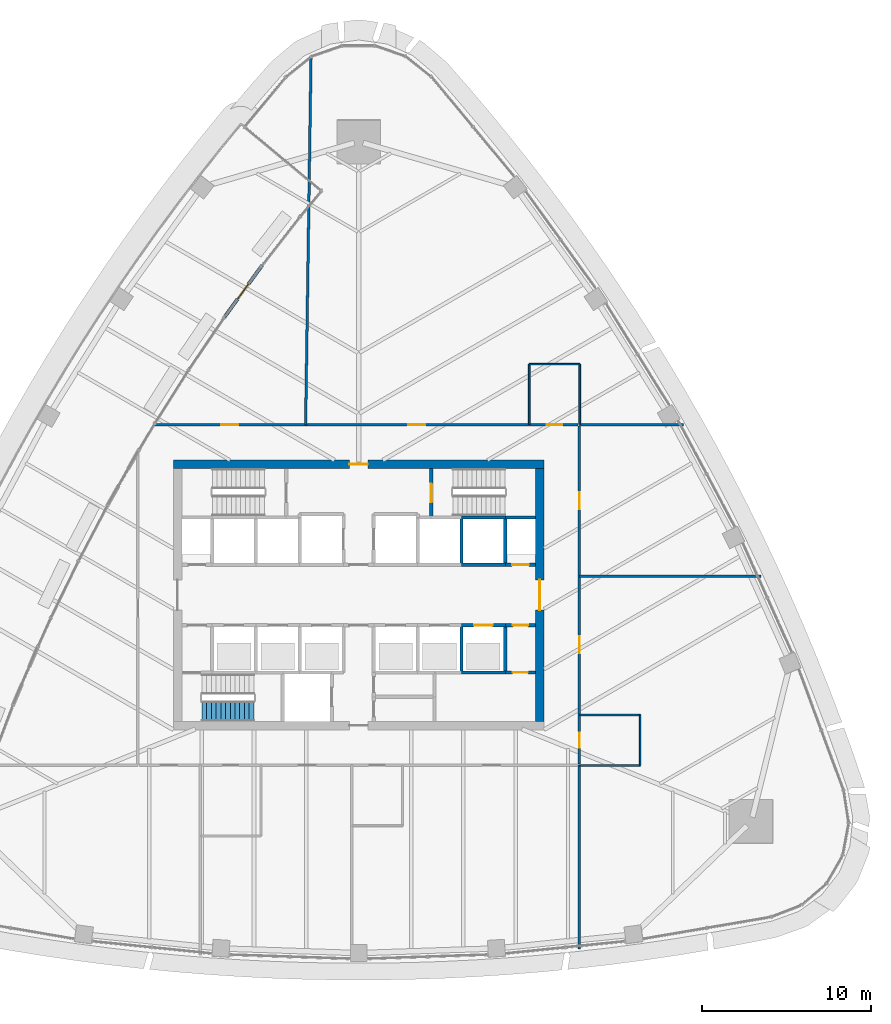
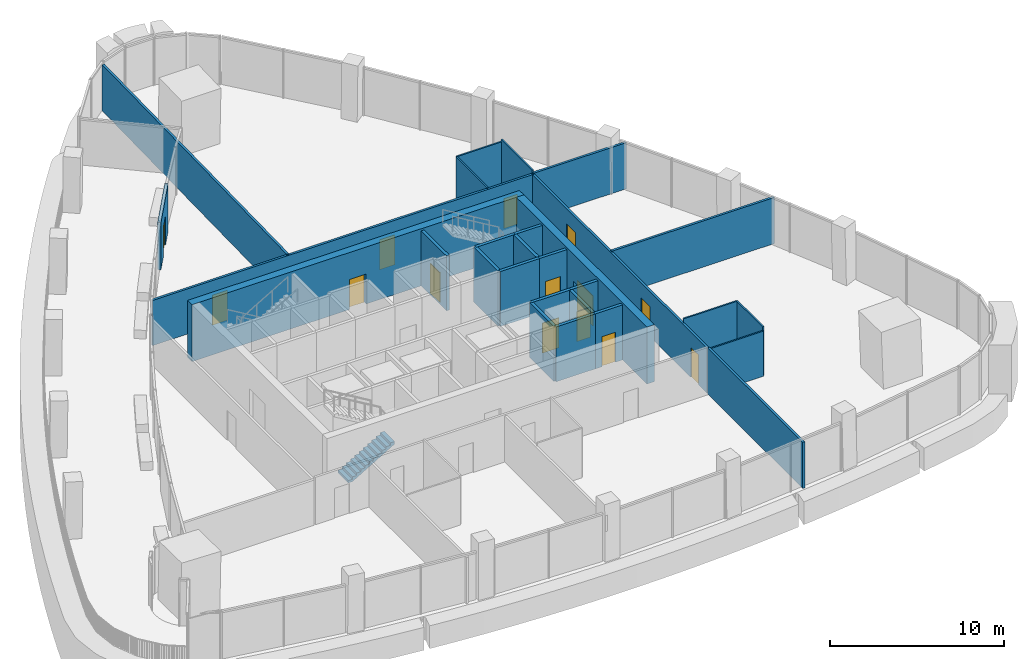
# One storey, part 11 of 18: 28 walls, 14 doors, 1 stair flight, 14 openings, 1 element without a shape of its own.
"""IFC4 building model written with IfcOpenShell, lengths in metres."""

from ifc_helpers import new_model, si_unit, direction, frame, frame_2d, origin, place, context, subcontext, project, spatial, polyline, rectangle, outline, extrude, material, layer, layer_set, type_object, element, fill, aggregate, save


model = new_model("IFC4")

# Units and contexts
model_context = context("Model", 3, precision=1e-05, world=origin(), true_north=direction((0.0, 1.0)))
body_context = subcontext(model_context, "Body", "Model", "MODEL_VIEW")
ifc_project = project(units=[si_unit("LENGTHUNIT", "METRE"), si_unit("AREAUNIT", "SQUARE_METRE"), si_unit("VOLUMEUNIT", "CUBIC_METRE"), si_unit("PLANEANGLEUNIT", "RADIAN"), si_unit("MASSUNIT", "GRAM", prefix="KILO")], contexts=[model_context])

# Site, building, storey
site_placement = place(None, origin())
site = spatial("IfcSite", under=ifc_project, at=site_placement, CompositionType="ELEMENT")
building_placement = place(site_placement, origin())
building = spatial("IfcBuilding", under=site, at=building_placement, Name="Sierra Prisma Convention Tower", CompositionType="ELEMENT")
storey_placement = place(building_placement, frame((0.0, 0.0, 189.800048828125)))
storey = spatial("IfcBuildingStorey", under=building, at=storey_placement, Name="L42", CompositionType="ELEMENT", Elevation=189.800048828125)

# Walls
ifc_material_1 = material(Name="Gypsum board partition", Category="gypsum")
ifc_layer_1 = layer(ifc_material_1, 0.10009765625)
ifc_layer_set_1 = layer_set([ifc_layer_1], Name="Bathroom partition 100")
wall_type_1 = type_object("IfcWallType", Name="Bathroom partition 100", PredefinedType="PARTITIONING", material=ifc_layer_set_1)
wall_1_placement = place(storey_placement, frame((10.1201171875, 10.1298828125, 0.0), z_axis=(0.0, 0.0, 1.0), x_axis=(0.0, 1.0, 0.0)))
element("IfcWall", 1, at=wall_1_placement, inside=storey, type_object=wall_type_1, Name="Partition L42 bath 5", PredefinedType="PARTITIONING", context=body_context, shape_type="SweptSolid", body=[
    extrude(rectangle(XDim=3.570068359375, YDim=0.10009765625, at=frame_2d((1.78515625, 0.0))), origin(), (0.0, 0.0, 1.0), 3.2470703125),
])
wall_2_placement = place(storey_placement, frame((10.1201171875, 13.699951171875, 0.0), z_axis=(0.0, 0.0, 1.0), x_axis=(1.0, 0.0, 0.0)))
element("IfcWall", 2, at=wall_2_placement, inside=storey, type_object=wall_type_1, Name="Partition L42 bath 6", PredefinedType="PARTITIONING", context=body_context, shape_type="SweptSolid", body=[
    extrude(rectangle(XDim=3.0, YDim=0.10009765625, at=frame_2d((1.5, 0.0))), origin(), (0.0, 0.0, 1.0), 3.2470703125),
])
wall_3_placement = place(storey_placement, frame((13.1201171875, 13.699951171875, 0.0), z_axis=(0.0, 0.0, 1.0), x_axis=(0.0, -1.0, 0.0)))
element("IfcWall", 3, at=wall_3_placement, inside=storey, type_object=wall_type_1, Name="Partition L42 bath 7", PredefinedType="PARTITIONING", context=body_context, shape_type="SweptSolid", body=[
    extrude(rectangle(XDim=3.570068359375, YDim=0.10009765625, at=frame_2d((1.78515625, 0.0))), origin(), (0.0, 0.0, 1.0), 3.39306640625),
])
wall_4_placement = place(storey_placement, frame((13.1298828125, -7.1201171875, 0.0), z_axis=(0.0, 0.0, 1.0), x_axis=(1.0, 0.0, 0.0)))
element("IfcWall", 4, at=wall_4_placement, inside=storey, type_object=wall_type_1, Name="Partition L42 bath 8", PredefinedType="PARTITIONING", context=body_context, shape_type="SweptSolid", body=[
    extrude(rectangle(XDim=3.570068359375, YDim=0.10009765625, at=frame_2d((1.78515625, 0.0))), origin(), (0.0, 0.0, 1.0), 3.449951171875),
])
wall_5_placement = place(storey_placement, frame((16.699951171875, -7.1201171875, 0.0), z_axis=(0.0, 0.0, 1.0), x_axis=(0.0, -1.0, 0.0)))
element("IfcWall", 5, at=wall_5_placement, inside=storey, type_object=wall_type_1, Name="Partition L42 bath 9", PredefinedType="PARTITIONING", context=body_context, shape_type="SweptSolid", body=[
    extrude(rectangle(XDim=3.0, YDim=0.10009765625, at=frame_2d((1.5, 0.0))), origin(), (0.0, 0.0, 1.0), 3.449951171875),
])
wall_6_placement = place(storey_placement, frame((16.699951171875, -10.1201171875, 0.0), z_axis=(0.0, 0.0, 1.0), x_axis=(-1.0, 0.0, 0.0)))
element("IfcWall", 6, at=wall_6_placement, inside=storey, type_object=wall_type_1, Name="Partition L42 bath 10", PredefinedType="PARTITIONING", context=body_context, shape_type="SweptSolid", body=[
    extrude(rectangle(XDim=3.570068359375, YDim=0.10009765625, at=frame_2d((1.78515625, 0.0))), origin(), (0.0, 0.0, 1.0), 3.166015625),
])

# Wall, opening, door
ifc_material_2 = material(Name="Concrete C30/37", Category="concrete")
ifc_layer_2 = layer(ifc_material_2, 0.199951171875)
ifc_layer_set_2 = layer_set([ifc_layer_2], Name="Core wall RC 200 C30/37")
wall_type_2 = type_object("IfcWallType", Name="Core wall RC 200 C30/37", PredefinedType="SOLIDWALL", material=ifc_layer_set_2)
wall_7_placement = place(storey_placement, frame((4.300048828125, 7.5, 0.0), z_axis=(0.0, 0.0, 1.0), x_axis=(0.0, -1.0, 0.0)))
wall_7 = element("IfcWall", 7, at=wall_7_placement, inside=storey, type_object=wall_type_2, Name="Core wall L42 51", PredefinedType="SOLIDWALL", context=body_context, shape_type="SweptSolid", body=[
    extrude(rectangle(XDim=2.89990234375, YDim=0.199951171875, at=frame_2d((1.449951171875, 0.0))), origin(), (0.0, 0.0, 1.0), 3.849853515625),
])
opening_1_placement = place(wall_7_placement, frame((0.89990234375, 0.0, 0.0)))
opening_1 = element("IfcOpeningElement", 8, at=opening_1_placement, cuts=wall_7, Name="Opening L42-D020", PredefinedType="OPENING", context=body_context, shape_type="SweptSolid", body=[
    extrude(rectangle(XDim=1.10009765625, YDim=2.10009765625, at=frame_2d((0.550048828125, 1.050048828125))), frame((0.0, 0.10009765625, 0.0), z_axis=(0.0, -1.0, 0.0), x_axis=(1.0, 0.0, 0.0)), (0.0, 0.0, 1.0), 0.199951171875),
])
ifc_material_3 = material(Name="Steel fire door leaf", Category="steel")
door_type_1 = type_object("IfcDoorType", Name="Door 1100x2100 FD90S", OperationType="SINGLE_SWING_LEFT", PredefinedType="DOOR", material=ifc_material_3)
door_1_placement = place(opening_1_placement, origin())
door_1 = element("IfcDoor", 9, at=door_1_placement, inside=storey, type_object=door_type_1, Name="Door L42 29", OperationType="SINGLE_SWING_RIGHT", OverallHeight=2.10009765625, OverallWidth=1.10009765625, PredefinedType="DOOR", context=body_context, shape_type="SweptSolid", body=[
    extrude(rectangle(XDim=1.10009765625, YDim=2.10009765625, at=frame_2d((0.550048828125, 1.050048828125))), frame((0.0, 0.02490234375, 0.0), z_axis=(0.0, -1.0, 0.0), x_axis=(1.0, 0.0, 0.0)), (0.0, 0.0, 1.0), 0.050048828125),
])
fill(opening_1, door_1)

# Walls
wall_8_placement = place(storey_placement, frame((8.699951171875, -4.60009765625, 0.0), z_axis=(0.0, 0.0, 1.0), x_axis=(-1.0, 0.0, 0.0)))
element("IfcWall", 10, at=wall_8_placement, inside=storey, type_object=wall_type_2, Name="Core wall L42 55", PredefinedType="SOLIDWALL", context=body_context, shape_type="SweptSolid", body=[
    extrude(rectangle(XDim=2.599853515625, YDim=0.199951171875, at=frame_2d((1.2998046875, 0.0))), origin(), (0.0, 0.0, 1.0), 3.849853515625),
])
wall_9_placement = place(storey_placement, frame((6.10009765625, -4.60009765625, 0.0), z_axis=(0.0, 0.0, 1.0), x_axis=(0.0, 1.0, 0.0)))
element("IfcWall", 11, at=wall_9_placement, inside=storey, type_object=wall_type_2, Name="Core wall L42 56", PredefinedType="SOLIDWALL", context=body_context, shape_type="SweptSolid", body=[
    extrude(rectangle(XDim=2.800048828125, YDim=0.199951171875, at=frame_2d((1.39990234375, 0.0))), origin(), (0.0, 0.0, 1.0), 3.849853515625),
])

# Wall, opening, door
wall_10_placement = place(storey_placement, frame((6.10009765625, -1.800048828125, 0.0), z_axis=(0.0, 0.0, 1.0), x_axis=(1.0, 0.0, 0.0)))
wall_10 = element("IfcWall", 12, at=wall_10_placement, inside=storey, type_object=wall_type_2, Name="Core wall L42 57", PredefinedType="SOLIDWALL", context=body_context, shape_type="SweptSolid", body=[
    extrude(rectangle(XDim=2.599853515625, YDim=0.199951171875, at=frame_2d((1.2998046875, 0.0))), origin(), (0.0, 0.0, 1.0), 3.849853515625),
])
opening_2_placement = place(wall_10_placement, frame((0.75, 0.0, 0.0)))
opening_2 = element("IfcOpeningElement", 13, at=opening_2_placement, cuts=wall_10, Name="Opening L42-D009", PredefinedType="OPENING", context=body_context, shape_type="SweptSolid", body=[
    extrude(rectangle(XDim=1.10009765625, YDim=2.10009765625, at=frame_2d((0.550048828125, 1.050048828125))), frame((0.0, 0.10009765625, 0.0), z_axis=(0.0, -1.0, 0.0), x_axis=(1.0, 0.0, 0.0)), (0.0, 0.0, 1.0), 0.199951171875),
])
ifc_material_4 = material(Name="Steel fire door leaf", Category="steel")
door_type_2 = type_object("IfcDoorType", Name="Door 1100x2100 EI 90 sliding lift landing", OperationType="SLIDING_TO_LEFT", PredefinedType="DOOR", material=ifc_material_4)
door_2_placement = place(opening_2_placement, origin())
door_2 = element("IfcDoor", 14, at=door_2_placement, inside=storey, type_object=door_type_2, Name="Door L42 18", OperationType="SLIDING_TO_RIGHT", OverallHeight=2.10009765625, OverallWidth=1.10009765625, PredefinedType="DOOR", context=body_context, shape_type="SweptSolid", body=[
    extrude(rectangle(XDim=1.10009765625, YDim=2.10009765625, at=frame_2d((0.550048828125, 1.050048828125))), frame((0.0, 0.02490234375, 0.0), z_axis=(0.0, -1.0, 0.0), x_axis=(1.0, 0.0, 0.0)), (0.0, 0.0, 1.0), 0.050048828125),
])
fill(opening_2, door_2)

# Walls
wall_11_placement = place(storey_placement, frame((8.699951171875, 1.800048828125, 0.0), z_axis=(0.0, 0.0, 1.0), x_axis=(-1.0, 0.0, 0.0)))
element("IfcWall", 15, at=wall_11_placement, inside=storey, type_object=wall_type_2, Name="Core wall L42 58", PredefinedType="SOLIDWALL", context=body_context, shape_type="SweptSolid", body=[
    extrude(rectangle(XDim=2.599853515625, YDim=0.199951171875, at=frame_2d((1.2998046875, 0.0))), origin(), (0.0, 0.0, 1.0), 3.849853515625),
])
wall_12_placement = place(storey_placement, frame((6.10009765625, 1.800048828125, 0.0), z_axis=(0.0, 0.0, 1.0), x_axis=(0.0, 1.0, 0.0)))
element("IfcWall", 16, at=wall_12_placement, inside=storey, type_object=wall_type_2, Name="Core wall L42 59", PredefinedType="SOLIDWALL", context=body_context, shape_type="SweptSolid", body=[
    extrude(rectangle(XDim=2.800048828125, YDim=0.199951171875, at=frame_2d((1.39990234375, 0.0))), origin(), (0.0, 0.0, 1.0), 3.849853515625),
])
wall_13_placement = place(storey_placement, frame((8.699951171875, 4.60009765625, 0.0), z_axis=(0.0, 0.0, 1.0), x_axis=(-1.0, 0.0, 0.0)))
element("IfcWall", 17, at=wall_13_placement, inside=storey, type_object=wall_type_2, Name="Core wall L42 60", PredefinedType="SOLIDWALL", context=body_context, shape_type="SweptSolid", body=[
    extrude(rectangle(XDim=2.599853515625, YDim=0.199951171875, at=frame_2d((1.2998046875, 0.0))), origin(), (0.0, 0.0, 1.0), 3.849853515625),
])

# Wall, opening, door
wall_14_placement = place(storey_placement, frame((10.5, -4.60009765625, 0.0), z_axis=(0.0, 0.0, 1.0), x_axis=(-1.0, 0.0, 0.0)))
wall_14 = element("IfcWall", 18, at=wall_14_placement, inside=storey, type_object=wall_type_2, Name="Core wall L42 61", PredefinedType="SOLIDWALL", context=body_context, shape_type="SweptSolid", body=[
    extrude(rectangle(XDim=1.800048828125, YDim=0.199951171875, at=frame_2d((0.89990234375, 0.0))), origin(), (0.0, 0.0, 1.0), 3.849853515625),
])
opening_3_placement = place(wall_14_placement, frame((0.4599609375, 0.0, 0.0)))
opening_3 = element("IfcOpeningElement", 19, at=opening_3_placement, cuts=wall_14, Name="Opening L42-D021", PredefinedType="OPENING", context=body_context, shape_type="SweptSolid", body=[
    extrude(rectangle(XDim=0.89990234375, YDim=2.10009765625, at=frame_2d((0.449951171875, 1.050048828125))), frame((0.0, 0.10009765625, 0.0), z_axis=(0.0, -1.0, 0.0), x_axis=(1.0, 0.0, 0.0)), (0.0, 0.0, 1.0), 0.199951171875),
])
ifc_material_5 = material(Name="Steel fire door leaf", Category="steel")
door_type_3 = type_object("IfcDoorType", Name="Door 900x2100 FD30S", OperationType="SINGLE_SWING_LEFT", PredefinedType="DOOR", material=ifc_material_5)
door_3_placement = place(opening_3_placement, origin())
door_3 = element("IfcDoor", 20, at=door_3_placement, inside=storey, type_object=door_type_3, Name="Door L42 30", OperationType="SINGLE_SWING_LEFT", OverallHeight=2.10009765625, OverallWidth=0.89990234375, PredefinedType="DOOR", context=body_context, shape_type="SweptSolid", body=[
    extrude(rectangle(XDim=0.89990234375, YDim=2.10009765625, at=frame_2d((0.449951171875, 1.050048828125))), frame((0.0, 0.02490234375, 0.0), z_axis=(0.0, -1.0, 0.0), x_axis=(1.0, 0.0, 0.0)), (0.0, 0.0, 1.0), 0.050048828125),
])
fill(opening_3, door_3)

# Wall
wall_15_placement = place(storey_placement, frame((8.699951171875, -1.800048828125, 0.0), z_axis=(0.0, 0.0, 1.0), x_axis=(0.0, -1.0, 0.0)))
element("IfcWall", 21, at=wall_15_placement, inside=storey, type_object=wall_type_2, Name="Core wall L42 62", PredefinedType="SOLIDWALL", context=body_context, shape_type="SweptSolid", body=[
    extrude(rectangle(XDim=2.800048828125, YDim=0.199951171875, at=frame_2d((1.39990234375, 0.0))), origin(), (0.0, 0.0, 1.0), 3.849853515625),
])

# Wall, opening, door
wall_16_placement = place(storey_placement, frame((8.699951171875, -1.800048828125, 0.0), z_axis=(0.0, 0.0, 1.0), x_axis=(1.0, 0.0, 0.0)))
wall_16 = element("IfcWall", 22, at=wall_16_placement, inside=storey, type_object=wall_type_2, Name="Core wall L42 63", PredefinedType="SOLIDWALL", context=body_context, shape_type="SweptSolid", body=[
    extrude(rectangle(XDim=1.800048828125, YDim=0.199951171875, at=frame_2d((0.89990234375, 0.0))), origin(), (0.0, 0.0, 1.0), 3.849853515625),
])
opening_4_placement = place(wall_16_placement, frame((0.449951171875, 0.0, 0.0)))
opening_4 = element("IfcOpeningElement", 23, at=opening_4_placement, cuts=wall_16, Name="Opening L42-D022", PredefinedType="OPENING", context=body_context, shape_type="SweptSolid", body=[
    extrude(rectangle(XDim=0.89990234375, YDim=2.10009765625, at=frame_2d((0.449951171875, 1.050048828125))), frame((0.0, 0.10009765625, 0.0), z_axis=(0.0, -1.0, 0.0), x_axis=(1.0, 0.0, 0.0)), (0.0, 0.0, 1.0), 0.199951171875),
])
door_4_placement = place(opening_4_placement, origin())
door_4 = element("IfcDoor", 24, at=door_4_placement, inside=storey, type_object=door_type_3, Name="Door L42 31", OperationType="SINGLE_SWING_LEFT", OverallHeight=2.10009765625, OverallWidth=0.89990234375, PredefinedType="DOOR", context=body_context, shape_type="SweptSolid", body=[
    extrude(rectangle(XDim=0.89990234375, YDim=2.10009765625, at=frame_2d((0.449951171875, 1.050048828125))), frame((0.0, 0.02490234375, 0.0), z_axis=(0.0, -1.0, 0.0), x_axis=(1.0, 0.0, 0.0)), (0.0, 0.0, 1.0), 0.050048828125),
])
fill(opening_4, door_4)

wall_17_placement = place(storey_placement, frame((10.5, 1.800048828125, 0.0), z_axis=(0.0, 0.0, 1.0), x_axis=(-1.0, 0.0, 0.0)))
wall_17 = element("IfcWall", 25, at=wall_17_placement, inside=storey, type_object=wall_type_2, Name="Core wall L42 64", PredefinedType="SOLIDWALL", context=body_context, shape_type="SweptSolid", body=[
    extrude(rectangle(XDim=1.800048828125, YDim=0.199951171875, at=frame_2d((0.89990234375, 0.0))), origin(), (0.0, 0.0, 1.0), 3.849853515625),
])
opening_5_placement = place(wall_17_placement, frame((0.39990234375, 0.0, 0.0)))
opening_5 = element("IfcOpeningElement", 26, at=opening_5_placement, cuts=wall_17, Name="Opening L42-D017", PredefinedType="OPENING", context=body_context, shape_type="SweptSolid", body=[
    extrude(rectangle(XDim=1.0, YDim=2.10009765625, at=frame_2d((0.5, 1.050048828125))), frame((0.0, 0.10009765625, 0.0), z_axis=(0.0, -1.0, 0.0), x_axis=(1.0, 0.0, 0.0)), (0.0, 0.0, 1.0), 0.199951171875),
])
ifc_material_6 = material(Name="Steel fire door leaf", Category="steel")
door_type_4 = type_object("IfcDoorType", Name="Door 1000x2100 FD60S", OperationType="SINGLE_SWING_LEFT", PredefinedType="DOOR", material=ifc_material_6)
door_5_placement = place(opening_5_placement, origin())
door_5 = element("IfcDoor", 27, at=door_5_placement, inside=storey, type_object=door_type_4, Name="Door L42 26", OperationType="SINGLE_SWING_LEFT", OverallHeight=2.10009765625, OverallWidth=1.0, PredefinedType="DOOR", context=body_context, shape_type="SweptSolid", body=[
    extrude(rectangle(XDim=1.0, YDim=2.10009765625, at=frame_2d((0.5, 1.050048828125))), frame((0.0, 0.02490234375, 0.0), z_axis=(0.0, -1.0, 0.0), x_axis=(1.0, 0.0, 0.0)), (0.0, 0.0, 1.0), 0.050048828125),
])
fill(opening_5, door_5)

# Walls
wall_18_placement = place(storey_placement, frame((8.699951171875, 4.60009765625, 0.0), z_axis=(0.0, 0.0, 1.0), x_axis=(0.0, -1.0, 0.0)))
element("IfcWall", 28, at=wall_18_placement, inside=storey, type_object=wall_type_2, Name="Core wall L42 65", PredefinedType="SOLIDWALL", context=body_context, shape_type="SweptSolid", body=[
    extrude(rectangle(XDim=2.800048828125, YDim=0.199951171875, at=frame_2d((1.39990234375, 0.0))), origin(), (0.0, 0.0, 1.0), 3.849853515625),
])
wall_19_placement = place(storey_placement, frame((10.5, 4.60009765625, 0.0), z_axis=(0.0, 0.0, 1.0), x_axis=(-1.0, 0.0, 0.0)))
element("IfcWall", 29, at=wall_19_placement, inside=storey, type_object=wall_type_2, Name="Core wall L42 66", PredefinedType="SOLIDWALL", context=body_context, shape_type="SweptSolid", body=[
    extrude(rectangle(XDim=1.800048828125, YDim=0.199951171875, at=frame_2d((0.89990234375, 0.0))), origin(), (0.0, 0.0, 1.0), 3.849853515625),
])

# Wall, opening, door
ifc_material_7 = material(Name="Concrete C60/75", Category="concrete")
ifc_layer_3 = layer(ifc_material_7, 0.5)
ifc_layer_set_3 = layer_set([ifc_layer_3], Name="Core wall RC 500 C60/75")
wall_type_3 = type_object("IfcWallType", Name="Core wall RC 500 C60/75", PredefinedType="SHEAR", material=ifc_layer_set_3)
wall_20_placement = place(storey_placement, frame((-11.0, 7.75, 0.0), z_axis=(0.0, 0.0, 1.0), x_axis=(1.0, 0.0, 0.0)))
wall_20 = element("IfcWall", 30, at=wall_20_placement, inside=storey, type_object=wall_type_3, Name="Core wall N L42", PredefinedType="SHEAR", context=body_context, shape_type="SweptSolid", body=[
    extrude(rectangle(XDim=22.0, YDim=0.5, at=frame_2d((11.0, 0.0))), origin(), (0.0, 0.0, 1.0), 4.0),
])
opening_6_placement = place(wall_20_placement, frame((10.449951171875, 0.0, 0.0)))
opening_6 = element("IfcOpeningElement", 31, at=opening_6_placement, cuts=wall_20, Name="Opening L42-D038", PredefinedType="OPENING", context=body_context, shape_type="SweptSolid", body=[
    extrude(rectangle(XDim=1.10009765625, YDim=2.10009765625, at=frame_2d((0.550048828125, 1.050048828125))), frame((0.0, 0.25, 0.0), z_axis=(0.0, -1.0, 0.0), x_axis=(1.0, 0.0, 0.0)), (0.0, 0.0, 1.0), 0.5),
])
ifc_material_8 = material(Name="Steel fire door leaf", Category="steel")
door_type_5 = type_object("IfcDoorType", Name="Door 1100x2100 FD60S", OperationType="SINGLE_SWING_LEFT", PredefinedType="DOOR", material=ifc_material_8)
door_6_placement = place(opening_6_placement, origin())
door_6 = element("IfcDoor", 32, at=door_6_placement, inside=storey, type_object=door_type_5, Name="Door L42 36", OperationType="SINGLE_SWING_RIGHT", OverallHeight=2.10009765625, OverallWidth=1.10009765625, PredefinedType="DOOR", context=body_context, shape_type="SweptSolid", body=[
    extrude(rectangle(XDim=1.10009765625, YDim=2.10009765625, at=frame_2d((0.550048828125, 1.050048828125))), frame((0.0, 0.02490234375, 0.0), z_axis=(0.0, -1.0, 0.0), x_axis=(1.0, 0.0, 0.0)), (0.0, 0.0, 1.0), 0.050048828125),
])
fill(opening_6, door_6)

wall_21_placement = place(storey_placement, frame((10.75, -7.5, 0.0), z_axis=(0.0, 0.0, 1.0), x_axis=(0.0, 1.0, 0.0)))
wall_21 = element("IfcWall", 33, at=wall_21_placement, inside=storey, type_object=wall_type_3, Name="Core wall E L42", PredefinedType="SHEAR", context=body_context, shape_type="SweptSolid", body=[
    extrude(rectangle(XDim=15.0, YDim=0.5, at=frame_2d((7.5, 0.0))), origin(), (0.0, 0.0, 1.0), 4.0),
])
opening_7_placement = place(wall_21_placement, frame((6.60009765625, 0.0, 0.0)))
opening_7 = element("IfcOpeningElement", 34, at=opening_7_placement, cuts=wall_21, Name="Opening L42-D037", PredefinedType="OPENING", context=body_context, shape_type="SweptSolid", body=[
    extrude(rectangle(XDim=1.800048828125, YDim=2.10009765625, at=frame_2d((0.89990234375, 1.050048828125))), frame((0.0, 0.25, 0.0), z_axis=(0.0, -1.0, 0.0), x_axis=(1.0, 0.0, 0.0)), (0.0, 0.0, 1.0), 0.5),
])
ifc_material_9 = material(Name="Steel fire door leaf", Category="steel")
door_type_6 = type_object("IfcDoorType", Name="Door 1800x2100 FD60S", OperationType="DOUBLE_DOOR_SINGLE_SWING", PredefinedType="DOOR", material=ifc_material_9)
door_7_placement = place(opening_7_placement, origin())
door_7 = element("IfcDoor", 35, at=door_7_placement, inside=storey, type_object=door_type_6, Name="Door L42 35", OperationType="DOUBLE_DOOR_SINGLE_SWING", OverallHeight=2.10009765625, OverallWidth=1.800048828125, PredefinedType="DOOR", context=body_context, shape_type="SweptSolid", body=[
    extrude(rectangle(XDim=1.800048828125, YDim=2.10009765625, at=frame_2d((0.89990234375, 1.050048828125))), frame((0.0, 0.02490234375, 0.0), z_axis=(0.0, -1.0, 0.0), x_axis=(1.0, 0.0, 0.0)), (0.0, 0.0, 1.0), 0.050048828125),
])
fill(opening_7, door_7)

# Wall, openings, doors
ifc_material_10 = material(Name="Gypsum board partition", Category="gypsum")
ifc_layer_4 = layer(ifc_material_10, 0.14990234375)
ifc_layer_set_4 = layer_set([ifc_layer_4], Name="Corridor wall 150 gypsum EI 60")
wall_type_4 = type_object("IfcWallType", Name="Corridor wall 150 gypsum EI 60", PredefinedType="PARTITIONING", material=ifc_layer_set_4)
wall_22_placement = place(storey_placement, frame((13.02001953125, 10.10009765625, 0.0), z_axis=(0.0, 0.0, 1.0), x_axis=(-1.0, 0.0, 0.0)))
wall_22 = element("IfcWall", 36, at=wall_22_placement, inside=storey, type_object=wall_type_4, Name="Partition L42 corr 3", PredefinedType="PARTITIONING", context=body_context, shape_type="SweptSolid", body=[
    extrude(rectangle(XDim=25.169921875, YDim=0.14990234375, at=frame_2d((12.5849609375, 0.0))), origin(), (0.0, 0.0, 1.0), 3.166015625),
])
opening_8_placement = place(wall_22_placement, frame((0.949951171875, 0.0, 0.0)))
opening_8 = element("IfcOpeningElement", 37, at=opening_8_placement, cuts=wall_22, Name="Opening L42-D026", PredefinedType="OPENING", context=body_context, shape_type="SweptSolid", body=[
    extrude(rectangle(XDim=0.89990234375, YDim=2.10009765625, at=frame_2d((0.449951171875, 1.050048828125))), frame((0.0, 0.074951171875, 0.0), z_axis=(0.0, -1.0, 0.0), x_axis=(1.0, 0.0, 0.0)), (0.0, 0.0, 1.0), 0.14990234375),
])
opening_9_placement = place(wall_22_placement, frame((9.0849609375, 0.0, 0.0)))
opening_9 = element("IfcOpeningElement", 38, at=opening_9_placement, cuts=wall_22, Name="Opening L42-D027", PredefinedType="OPENING", context=body_context, shape_type="SweptSolid", body=[
    extrude(rectangle(XDim=1.0, YDim=2.10009765625, at=frame_2d((0.5, 1.050048828125))), frame((0.0, 0.074951171875, 0.0), z_axis=(0.0, -1.0, 0.0), x_axis=(1.0, 0.0, 0.0)), (0.0, 0.0, 1.0), 0.14990234375),
])
opening_10_placement = place(wall_22_placement, frame((20.169921875, 0.0, 0.0)))
opening_10 = element("IfcOpeningElement", 39, at=opening_10_placement, cuts=wall_22, Name="Opening L42-D028", PredefinedType="OPENING", context=body_context, shape_type="SweptSolid", body=[
    extrude(rectangle(XDim=1.0, YDim=2.10009765625, at=frame_2d((0.5, 1.050048828125))), frame((0.0, 0.074951171875, 0.0), z_axis=(0.0, -1.0, 0.0), x_axis=(1.0, 0.0, 0.0)), (0.0, 0.0, 1.0), 0.14990234375),
])
ifc_material_11 = material(Name="Steel fire door leaf", Category="steel")
door_type_7 = type_object("IfcDoorType", Name="Door 1000x2100 FD30S", OperationType="SINGLE_SWING_LEFT", PredefinedType="DOOR", material=ifc_material_11)
door_8_placement = place(opening_9_placement, origin())
door_8 = element("IfcDoor", 40, at=door_8_placement, inside=storey, type_object=door_type_7, Name="Door L42 3", OperationType="SINGLE_SWING_RIGHT", OverallHeight=2.10009765625, OverallWidth=1.0, PredefinedType="DOOR", context=body_context, shape_type="SweptSolid", body=[
    extrude(rectangle(XDim=1.0, YDim=2.10009765625, at=frame_2d((0.5, 1.050048828125))), frame((0.0, 0.02490234375, 0.0), z_axis=(0.0, -1.0, 0.0), x_axis=(1.0, 0.0, 0.0)), (0.0, 0.0, 1.0), 0.050048828125),
])
fill(opening_9, door_8)
door_9_placement = place(opening_10_placement, origin())
door_9 = element("IfcDoor", 41, at=door_9_placement, inside=storey, type_object=door_type_7, Name="Door L42 4", OperationType="SINGLE_SWING_LEFT", OverallHeight=2.10009765625, OverallWidth=1.0, PredefinedType="DOOR", context=body_context, shape_type="SweptSolid", body=[
    extrude(rectangle(XDim=1.0, YDim=2.10009765625, at=frame_2d((0.5, 1.050048828125))), frame((0.0, 0.02490234375, 0.0), z_axis=(0.0, -1.0, 0.0), x_axis=(1.0, 0.0, 0.0)), (0.0, 0.0, 1.0), 0.050048828125),
])
fill(opening_10, door_9)
door_10_placement = place(opening_8_placement, origin())
door_10 = element("IfcDoor", 42, at=door_10_placement, inside=storey, type_object=door_type_3, Name="Door L42 2", OperationType="SINGLE_SWING_RIGHT", OverallHeight=2.10009765625, OverallWidth=0.89990234375, PredefinedType="DOOR", context=body_context, shape_type="SweptSolid", body=[
    extrude(rectangle(XDim=0.89990234375, YDim=2.10009765625, at=frame_2d((0.449951171875, 1.050048828125))), frame((0.0, 0.02490234375, 0.0), z_axis=(0.0, -1.0, 0.0), x_axis=(1.0, 0.0, 0.0)), (0.0, 0.0, 1.0), 0.050048828125),
])
fill(opening_8, door_10)

wall_23_placement = place(storey_placement, frame((13.10009765625, -10.02001953125, 0.0), z_axis=(0.0, 0.0, 1.0), x_axis=(0.0, 1.0, 0.0)))
wall_23 = element("IfcWall", 43, at=wall_23_placement, inside=storey, type_object=wall_type_4, Name="Partition L42 corr 4", PredefinedType="PARTITIONING", context=body_context, shape_type="SweptSolid", body=[
    extrude(rectangle(XDim=20.0400390625, YDim=0.14990234375, at=frame_2d((10.02001953125, 0.0))), origin(), (0.0, 0.0, 1.0), 3.166015625),
])
opening_11_placement = place(wall_23_placement, frame((15.1201171875, 0.0, 0.0)))
opening_11 = element("IfcOpeningElement", 44, at=opening_11_placement, cuts=wall_23, Name="Opening L42-D025", PredefinedType="OPENING", context=body_context, shape_type="SweptSolid", body=[
    extrude(rectangle(XDim=1.0, YDim=2.10009765625, at=frame_2d((0.5, 1.050048828125))), frame((0.0, 0.074951171875, 0.0), z_axis=(0.0, -1.0, 0.0), x_axis=(1.0, 0.0, 0.0)), (0.0, 0.0, 1.0), 0.14990234375),
])
opening_12_placement = place(wall_23_placement, frame((0.949951171875, 0.0, 0.0)))
opening_12 = element("IfcOpeningElement", 45, at=opening_12_placement, cuts=wall_23, Name="Opening L42-D035", PredefinedType="OPENING", context=body_context, shape_type="SweptSolid", body=[
    extrude(rectangle(XDim=0.89990234375, YDim=2.10009765625, at=frame_2d((0.449951171875, 1.050048828125))), frame((0.0, 0.074951171875, 0.0), z_axis=(0.0, -1.0, 0.0), x_axis=(1.0, 0.0, 0.0)), (0.0, 0.0, 1.0), 0.14990234375),
])
opening_13_placement = place(wall_23_placement, frame((6.56005859375, 0.0, 0.0)))
opening_13 = element("IfcOpeningElement", 46, at=opening_13_placement, cuts=wall_23, Name="Opening L42-D036", PredefinedType="OPENING", context=body_context, shape_type="SweptSolid", body=[
    extrude(rectangle(XDim=1.0, YDim=2.10009765625, at=frame_2d((0.5, 1.050048828125))), frame((0.0, 0.074951171875, 0.0), z_axis=(0.0, -1.0, 0.0), x_axis=(1.0, 0.0, 0.0)), (0.0, 0.0, 1.0), 0.14990234375),
])
door_11_placement = place(opening_11_placement, origin())
door_11 = element("IfcDoor", 47, at=door_11_placement, inside=storey, type_object=door_type_7, Name="Door L42 1", OperationType="SINGLE_SWING_LEFT", OverallHeight=2.10009765625, OverallWidth=1.0, PredefinedType="DOOR", context=body_context, shape_type="SweptSolid", body=[
    extrude(rectangle(XDim=1.0, YDim=2.10009765625, at=frame_2d((0.5, 1.050048828125))), frame((0.0, 0.02490234375, 0.0), z_axis=(0.0, -1.0, 0.0), x_axis=(1.0, 0.0, 0.0)), (0.0, 0.0, 1.0), 0.050048828125),
])
fill(opening_11, door_11)
door_12_placement = place(opening_13_placement, origin())
door_12 = element("IfcDoor", 48, at=door_12_placement, inside=storey, type_object=door_type_7, Name="Door L42 12", OperationType="SINGLE_SWING_LEFT", OverallHeight=2.10009765625, OverallWidth=1.0, PredefinedType="DOOR", context=body_context, shape_type="SweptSolid", body=[
    extrude(rectangle(XDim=1.0, YDim=2.10009765625, at=frame_2d((0.5, 1.050048828125))), frame((0.0, 0.02490234375, 0.0), z_axis=(0.0, -1.0, 0.0), x_axis=(1.0, 0.0, 0.0)), (0.0, 0.0, 1.0), 0.050048828125),
])
fill(opening_13, door_12)
door_13_placement = place(opening_12_placement, origin())
door_13 = element("IfcDoor", 49, at=door_13_placement, inside=storey, type_object=door_type_3, Name="Door L42 11", OperationType="SINGLE_SWING_RIGHT", OverallHeight=2.10009765625, OverallWidth=0.89990234375, PredefinedType="DOOR", context=body_context, shape_type="SweptSolid", body=[
    extrude(rectangle(XDim=0.89990234375, YDim=2.10009765625, at=frame_2d((0.449951171875, 1.050048828125))), frame((0.0, 0.02490234375, 0.0), z_axis=(0.0, -1.0, 0.0), x_axis=(1.0, 0.0, 0.0)), (0.0, 0.0, 1.0), 0.050048828125),
])
fill(opening_12, door_13)

# Walls
ifc_material_12 = material(Name="Gypsum board partition", Category="gypsum")
ifc_layer_5 = layer(ifc_material_12, 0.14990234375)
ifc_layer_set_5 = layer_set([ifc_layer_5], Name="Party wall 150 gypsum")
wall_type_5 = type_object("IfcWallType", Name="Party wall 150 gypsum", PredefinedType="PARTITIONING", material=ifc_layer_set_5)
wall_24_placement = place(storey_placement, frame((-3.14990234375, 10.10009765625, 0.0), z_axis=(0.0, 0.0, 1.0), x_axis=(0.014702310804, 0.999891915187, 0.0)))
element("IfcWall", 50, at=wall_24_placement, inside=storey, type_object=wall_type_5, Name="Partition L42 party 3", PredefinedType="PARTITIONING", context=body_context, shape_type="SweptSolid", body=[
    extrude(rectangle(XDim=21.73681640625, YDim=0.14990234375, at=frame_2d((10.868408203125, 0.0))), origin(), (0.0, 0.0, 1.0), 3.23388671875),
])
wall_25_placement = place(storey_placement, frame((13.10009765625, -10.10009765625, 0.0), z_axis=(0.0, 0.0, 1.0), x_axis=(0.0, -1.0, 0.0)))
element("IfcWall", 51, at=wall_25_placement, inside=storey, type_object=wall_type_5, Name="Partition L42 party 5", PredefinedType="PARTITIONING", context=body_context, shape_type="SweptSolid", body=[
    extrude(rectangle(XDim=10.92333984375, YDim=0.14990234375, at=frame_2d((5.461669921875, 0.0))), origin(), (0.0, 0.0, 1.0), 3.23388671875),
])
wall_26_placement = place(storey_placement, frame((23.884765625, 1.10009765625, 0.0), z_axis=(0.0, 0.0, 1.0), x_axis=(-1.0, 0.0, 0.0)))
element("IfcWall", 52, at=wall_26_placement, inside=storey, type_object=wall_type_5, Name="Partition L42 party 6", PredefinedType="PARTITIONING", context=body_context, shape_type="SweptSolid", body=[
    extrude(rectangle(XDim=10.78466796875, YDim=0.14990234375, at=frame_2d((5.392333984375, 0.0))), origin(), (0.0, 0.0, 1.0), 3.23388671875),
])
wall_27_placement = place(storey_placement, frame((13.10009765625, 10.10009765625, 0.0), z_axis=(0.0, 0.0, 1.0), x_axis=(1.0, 0.0, 0.0)))
element("IfcWall", 53, at=wall_27_placement, inside=storey, type_object=wall_type_5, Name="Partition L42 party 7", PredefinedType="PARTITIONING", context=body_context, shape_type="SweptSolid", body=[
    extrude(rectangle(XDim=6.16064453125, YDim=0.14990234375, at=frame_2d((3.080322265625, 0.0))), origin(), (0.0, 0.0, 1.0), 3.23388671875),
])

# Wall, opening, door
ifc_material_13 = material(Name="Precast concrete C40/50", Category="concrete")
ifc_layer_6 = layer(ifc_material_13, 0.199951171875)
ifc_layer_set_6 = layer_set([ifc_layer_6], Name="Terrace door pier")
wall_type_6 = type_object("IfcWallType", Name="Terrace door pier", PredefinedType="SOLIDWALL", material=ifc_layer_set_6)
wall_28_placement = place(storey_placement, frame((-5.713134765625, 19.583984375, 0.0), z_axis=(0.0, 0.0, 1.0), x_axis=(-0.58849701682, -0.808499388493, 0.0)))
wall_28 = element("IfcWall", 54, at=wall_28_placement, inside=storey, type_object=wall_type_6, Name="Terrace door bay L42.3", PredefinedType="SOLIDWALL", context=body_context, shape_type="SweptSolid", body=[
    extrude(rectangle(XDim=3.92626953125, YDim=0.199951171875, at=frame_2d((1.963134765625, 0.0))), origin(), (0.0, 0.0, 1.0), 3.31689453125),
])
opening_14_placement = place(wall_28_placement, frame((1.4130859375, 0.0, 0.0)))
opening_14 = element("IfcOpeningElement", 55, at=opening_14_placement, cuts=wall_28, Name="Opening L42-D002", PredefinedType="OPENING", context=body_context, shape_type="SweptSolid", body=[
    extrude(rectangle(XDim=1.10009765625, YDim=2.10009765625, at=frame_2d((0.550048828125, 1.050048828125))), frame((0.0, 0.10009765625, 0.0), z_axis=(0.0, -1.0, 0.0), x_axis=(1.0, 0.0, 0.0)), (0.0, 0.0, 1.0), 0.199951171875),
])
ifc_material_14 = material(Name="Bronze anodised aluminium and glass", Category="aluminium")
door_type_8 = type_object("IfcDoorType", Name="Terrace door 1100 x 2100", OperationType="SINGLE_SWING_LEFT", PredefinedType="DOOR", material=ifc_material_14)
door_14_placement = place(opening_14_placement, origin())
door_14 = element("IfcDoor", 56, at=door_14_placement, inside=storey, type_object=door_type_8, Name="Terrace door L42.3", OperationType="SINGLE_SWING_RIGHT", OverallHeight=2.10009765625, OverallWidth=1.10009765625, PredefinedType="DOOR", context=body_context, shape_type="SweptSolid", body=[
    extrude(rectangle(XDim=1.10009765625, YDim=2.10009765625, at=frame_2d((0.550048828125, 1.050048828125))), frame((0.0, 0.02490234375, 0.0), z_axis=(0.0, -1.0, 0.0), x_axis=(1.0, 0.0, 0.0)), (0.0, 0.0, 1.0), 0.050048828125),
])
fill(opening_14, door_14)

# Stair, stair flight
ifc_material_15 = material(Name="Concrete C30/37", Category="concrete")
stair_type = type_object("IfcStairType", Name="Stair dog-leg 1200 RC", PredefinedType="HALF_TURN_STAIR", material=ifc_material_15)
stair_placement = place(storey_placement, origin())
stair = element("IfcStair", 57, at=stair_placement, inside=storey, type_object=stair_type, Name="L42 S1", PredefinedType="HALF_TURN_STAIR")
ifc_material_16 = material(Name="Concrete C30/37", Category="concrete")
stair_flight_type = type_object("IfcStairFlightType", Name="Stair flight RC 1200", PredefinedType="STRAIGHT", material=ifc_material_16)
stair_flight_placement = place(storey_placement, frame((-9.300048828125, -6.89990234375, 0.0), z_axis=(0.0, 0.0, 1.0), x_axis=(1.0, 0.0, 0.0)))
stair_flight = element("IfcStairFlight", 58, at=stair_flight_placement, type_object=stair_flight_type, Name="S1 flight 1", NumberOfRisers=12, NumberOfTreads=11, PredefinedType="STRAIGHT", RiserHeight=0.166666667, TreadLength=0.28, context=body_context, shape_type="SweptSolid", body=[
    extrude(outline(polyline([(0.0, 0.0), (0.0, 0.166748046875), (0.280029296875, 0.166748046875), (0.280029296875, 0.333251953125), (0.56005859375, 0.333251953125), (0.56005859375, 0.5), (0.840087890625, 0.5), (0.840087890625, 0.666748046875), (1.1201171875, 0.666748046875), (1.1201171875, 0.833251953125), (1.39990234375, 0.833251953125), (1.39990234375, 1.0), (1.679931640625, 1.0), (1.679931640625, 1.166748046875), (1.9599609375, 1.166748046875), (1.9599609375, 1.333251953125), (2.239990234375, 1.333251953125), (2.239990234375, 1.5), (2.52001953125, 1.5), (2.52001953125, 1.666748046875), (2.800048828125, 1.666748046875), (2.800048828125, 1.833251953125), (3.080078125, 1.833251953125), (3.080078125, 2.0), (3.080078125, 1.658935546875), (0.29296875, 0.0), (0.0, 0.0)])), frame((0.0, 0.60009765625, 0.0), z_axis=(0.0, -1.0, 0.0), x_axis=(1.0, 0.0, 0.0)), (0.0, 0.0, 1.0), 1.199951171875),
])
aggregate(stair, [stair_flight])

save(model, "model.ifc")
